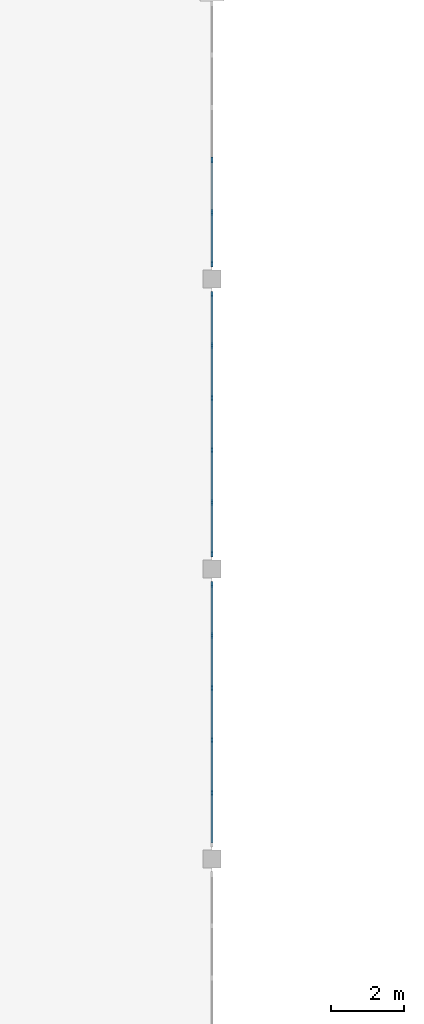
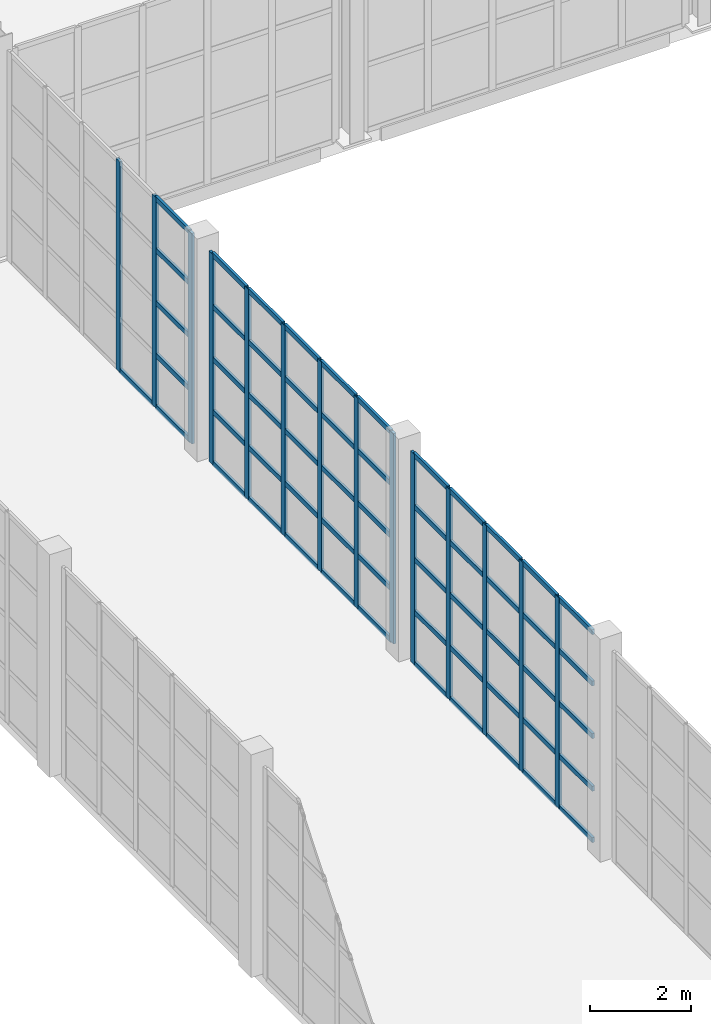
# One storey, part 40 of 82: 70 members, 3 elements without a shape of their own.
"""IFC4 building model written with IfcOpenShell, lengths in metres."""

from ifc_helpers import new_model, si_unit, direction, frame, origin, origin_2d, place, context, subcontext, project, spatial, rectangle, extrude, material, material_profile, profile_set, type_object, element, aggregate, save


model = new_model("IFC4")

# Units and contexts
model_context = context("Model", 3, precision=1e-05, world=origin(), true_north=direction((0.0, 1.0)))
body_context = subcontext(model_context, "Body", "Model", "MODEL_VIEW")
ifc_project = project(units=[si_unit("LENGTHUNIT", "METRE"), si_unit("AREAUNIT", "SQUARE_METRE"), si_unit("VOLUMEUNIT", "CUBIC_METRE"), si_unit("PLANEANGLEUNIT", "RADIAN"), si_unit("MASSUNIT", "GRAM", prefix="KILO")], contexts=[model_context])

# Site, building, storey
site_placement = place(None, origin())
site = spatial("IfcSite", under=ifc_project, at=site_placement, CompositionType="ELEMENT")
building_placement = place(site_placement, origin())
building = spatial("IfcBuilding", under=site, at=building_placement, Name="Serraluz Foothill Cableway Terminal", CompositionType="ELEMENT")
storey_placement = place(building_placement, frame((0.0, 0.0, 9.60009765625)))
storey = spatial("IfcBuildingStorey", under=building, at=storey_placement, Name="L02", CompositionType="ELEMENT", Elevation=9.60009765625)

# Curtain wall, members
ifc_material = material(Name="Architectural bronze alloy C28000", Category="aluminium")
curtain_wall_type = type_object("IfcCurtainWallType", Name="TYP-CW-710X420", PredefinedType="NOTDEFINED", material=ifc_material)
curtain_wall_1_placement = place(storey_placement, origin())
curtain_wall_1 = element("IfcCurtainWall", 1, at=curtain_wall_1_placement, inside=storey, type_object=curtain_wall_type, Name="Ribbed Glazed Curtain Wall CW-CLE-L02-32", PredefinedType="NOTDEFINED")
ifc_material_profile_1 = material_profile(ifc_material, rectangle(XDim=0.06005859375, YDim=0.159912109375, at=origin_2d()), Name="ALU MULLION 60x160")
ifc_profile_set_1 = profile_set([ifc_material_profile_1], Name="Architectural bronze alloy C28000")
member_type_1 = type_object("IfcMemberType", Name="TYP-CW-MUL-60X160", PredefinedType="MULLION", material=ifc_profile_set_1)
member_1_placement = place(storey_placement, frame((128.0, 39.580078125, 0.0), z_axis=(0.0, 0.0, 1.0), x_axis=(1.0, 0.0, 0.0)))
member_1 = element("IfcMember", 2, at=member_1_placement, type_object=member_type_1, Name="CW-01 mullion 1", PredefinedType="MULLION", context=body_context, shape_type="SweptSolid", body=[
    extrude(rectangle(XDim=0.06005859375, YDim=0.159912109375, at=origin_2d()), origin(), (0.0, 0.0, 1.0), 5.099853515625),
])
member_2_placement = place(storey_placement, frame((128.0, 38.166015625, 0.0), z_axis=(0.0, 0.0, 1.0), x_axis=(1.0, 0.0, 0.0)))
member_2 = element("IfcMember", 3, at=member_2_placement, type_object=member_type_1, Name="CW-01 mullion 2", PredefinedType="MULLION", context=body_context, shape_type="SweptSolid", body=[
    extrude(rectangle(XDim=0.06005859375, YDim=0.159912109375, at=origin_2d()), origin(), (0.0, 0.0, 1.0), 5.099853515625),
])
member_3_placement = place(storey_placement, frame((128.0, 36.721923828125, 0.0), z_axis=(0.0, 0.0, 1.0), x_axis=(1.0, 0.0, 0.0)))
member_3 = element("IfcMember", 4, at=member_3_placement, type_object=member_type_1, Name="CW-01 mullion 3", PredefinedType="MULLION", context=body_context, shape_type="SweptSolid", body=[
    extrude(rectangle(XDim=0.06005859375, YDim=0.159912109375, at=origin_2d()), origin(), (0.0, 0.0, 1.0), 5.099853515625),
])
member_4_placement = place(storey_placement, frame((128.0, 35.278076171875, 0.0), z_axis=(0.0, 0.0, 1.0), x_axis=(1.0, 0.0, 0.0)))
member_4 = element("IfcMember", 5, at=member_4_placement, type_object=member_type_1, Name="CW-01 mullion 4", PredefinedType="MULLION", context=body_context, shape_type="SweptSolid", body=[
    extrude(rectangle(XDim=0.06005859375, YDim=0.159912109375, at=origin_2d()), origin(), (0.0, 0.0, 1.0), 5.099853515625),
])
member_5_placement = place(storey_placement, frame((128.0, 33.833984375, 0.0), z_axis=(0.0, 0.0, 1.0), x_axis=(1.0, 0.0, 0.0)))
member_5 = element("IfcMember", 6, at=member_5_placement, type_object=member_type_1, Name="CW-01 mullion 5", PredefinedType="MULLION", context=body_context, shape_type="SweptSolid", body=[
    extrude(rectangle(XDim=0.06005859375, YDim=0.159912109375, at=origin_2d()), origin(), (0.0, 0.0, 1.0), 5.099853515625),
])

curtain_wall_2_placement = place(storey_placement, origin())
curtain_wall_2 = element("IfcCurtainWall", 7, at=curtain_wall_2_placement, inside=storey, type_object=curtain_wall_type, Name="Ribbed Glazed Curtain Wall CW-CLE-L02-40", PredefinedType="NOTDEFINED")
member_6_placement = place(storey_placement, frame((128.0, 47.580078125, 0.0), z_axis=(0.0, 0.0, 1.0), x_axis=(1.0, 0.0, 0.0)))
member_6 = element("IfcMember", 8, at=member_6_placement, type_object=member_type_1, Name="CW-01 mullion 1", PredefinedType="MULLION", context=body_context, shape_type="SweptSolid", body=[
    extrude(rectangle(XDim=0.06005859375, YDim=0.159912109375, at=origin_2d()), origin(), (0.0, 0.0, 1.0), 5.099853515625),
])
member_7_placement = place(storey_placement, frame((128.0, 46.166015625, 0.0), z_axis=(0.0, 0.0, 1.0), x_axis=(1.0, 0.0, 0.0)))
member_7 = element("IfcMember", 9, at=member_7_placement, type_object=member_type_1, Name="CW-01 mullion 2", PredefinedType="MULLION", context=body_context, shape_type="SweptSolid", body=[
    extrude(rectangle(XDim=0.06005859375, YDim=0.159912109375, at=origin_2d()), origin(), (0.0, 0.0, 1.0), 5.099853515625),
])
member_8_placement = place(storey_placement, frame((128.0, 44.721923828125, 0.0), z_axis=(0.0, 0.0, 1.0), x_axis=(1.0, 0.0, 0.0)))
member_8 = element("IfcMember", 10, at=member_8_placement, type_object=member_type_1, Name="CW-01 mullion 3", PredefinedType="MULLION", context=body_context, shape_type="SweptSolid", body=[
    extrude(rectangle(XDim=0.06005859375, YDim=0.159912109375, at=origin_2d()), origin(), (0.0, 0.0, 1.0), 5.099853515625),
])
member_9_placement = place(storey_placement, frame((128.0, 43.278076171875, 0.0), z_axis=(0.0, 0.0, 1.0), x_axis=(1.0, 0.0, 0.0)))
member_9 = element("IfcMember", 11, at=member_9_placement, type_object=member_type_1, Name="CW-01 mullion 4", PredefinedType="MULLION", context=body_context, shape_type="SweptSolid", body=[
    extrude(rectangle(XDim=0.06005859375, YDim=0.159912109375, at=origin_2d()), origin(), (0.0, 0.0, 1.0), 5.099853515625),
])
member_10_placement = place(storey_placement, frame((128.0, 41.833984375, 0.0), z_axis=(0.0, 0.0, 1.0), x_axis=(1.0, 0.0, 0.0)))
member_10 = element("IfcMember", 12, at=member_10_placement, type_object=member_type_1, Name="CW-01 mullion 5", PredefinedType="MULLION", context=body_context, shape_type="SweptSolid", body=[
    extrude(rectangle(XDim=0.06005859375, YDim=0.159912109375, at=origin_2d()), origin(), (0.0, 0.0, 1.0), 5.099853515625),
])
member_11_placement = place(storey_placement, frame((128.0, 40.419921875, 0.0), z_axis=(0.0, 0.0, 1.0), x_axis=(1.0, 0.0, 0.0)))
member_11 = element("IfcMember", 13, at=member_11_placement, type_object=member_type_1, Name="CW-01 mullion 6", PredefinedType="MULLION", context=body_context, shape_type="SweptSolid", body=[
    extrude(rectangle(XDim=0.06005859375, YDim=0.159912109375, at=origin_2d()), origin(), (0.0, 0.0, 1.0), 5.099853515625),
])

curtain_wall_3_placement = place(storey_placement, origin())
curtain_wall_3 = element("IfcCurtainWall", 14, at=curtain_wall_3_placement, inside=storey, type_object=curtain_wall_type, Name="Ribbed Glazed Curtain Wall CW-CLE-L02-48", PredefinedType="NOTDEFINED")
member_12_placement = place(storey_placement, frame((128.0, 51.28369140625, 0.0), z_axis=(0.0, 0.0, 1.0), x_axis=(1.0, 0.0, 0.0)))
member_12 = element("IfcMember", 15, at=member_12_placement, type_object=member_type_1, Name="CW-01 mullion 4", PredefinedType="MULLION", context=body_context, shape_type="SweptSolid", body=[
    extrude(rectangle(XDim=0.06005859375, YDim=0.159912109375, at=origin_2d()), origin(), (0.0, 0.0, 1.0), 5.099853515625),
])
member_13_placement = place(storey_placement, frame((128.0, 49.8369140625, 0.0), z_axis=(0.0, 0.0, 1.0), x_axis=(1.0, 0.0, 0.0)))
member_13 = element("IfcMember", 16, at=member_13_placement, type_object=member_type_1, Name="CW-01 mullion 5", PredefinedType="MULLION", context=body_context, shape_type="SweptSolid", body=[
    extrude(rectangle(XDim=0.06005859375, YDim=0.159912109375, at=origin_2d()), origin(), (0.0, 0.0, 1.0), 5.099853515625),
])
member_14_placement = place(storey_placement, frame((128.0, 48.419921875, 0.0), z_axis=(0.0, 0.0, 1.0), x_axis=(1.0, 0.0, 0.0)))
member_14 = element("IfcMember", 17, at=member_14_placement, type_object=member_type_1, Name="CW-01 mullion 6", PredefinedType="MULLION", context=body_context, shape_type="SweptSolid", body=[
    extrude(rectangle(XDim=0.06005859375, YDim=0.159912109375, at=origin_2d()), origin(), (0.0, 0.0, 1.0), 5.099853515625),
])

# Member
ifc_material_profile_2 = material_profile(ifc_material, rectangle(XDim=0.06005859375, YDim=0.1201171875, at=origin_2d()), Name="ALU TRANSOM 60x120")
ifc_profile_set_2 = profile_set([ifc_material_profile_2], Name="Architectural bronze alloy C28000")
member_type_2 = type_object("IfcMemberType", Name="TYP-CW-TRN-60X120", PredefinedType="USERDEFINED", material=ifc_profile_set_2)
member_15_placement = place(storey_placement, frame((128.0, 39.550048828125, 0.02978515625), z_axis=(0.0, -1.0, 0.0), x_axis=(1.0, 0.0, 0.0)))
member_15 = element("IfcMember", 18, at=member_15_placement, type_object=member_type_2, Name="CW-01 transom 1.1", ObjectType="TRANSOM", PredefinedType="USERDEFINED", context=body_context, shape_type="SweptSolid", body=[
    extrude(rectangle(XDim=0.06005859375, YDim=0.1201171875, at=origin_2d()), origin(), (0.0, 0.0, 1.0), 1.35400390625),
])

member_16_placement = place(storey_placement, frame((128.0, 39.550048828125, 1.27490234375), z_axis=(0.0, -1.0, 0.0), x_axis=(1.0, 0.0, 0.0)))
member_16 = element("IfcMember", 19, at=member_16_placement, type_object=member_type_2, Name="CW-01 transom 1.2", ObjectType="TRANSOM", PredefinedType="USERDEFINED", context=body_context, shape_type="SweptSolid", body=[
    extrude(rectangle(XDim=0.06005859375, YDim=0.1201171875, at=origin_2d()), origin(), (0.0, 0.0, 1.0), 1.35400390625),
])

member_17_placement = place(storey_placement, frame((128.0, 39.550048828125, 2.5498046875), z_axis=(0.0, -1.0, 0.0), x_axis=(1.0, 0.0, 0.0)))
member_17 = element("IfcMember", 20, at=member_17_placement, type_object=member_type_2, Name="CW-01 transom 1.3", ObjectType="TRANSOM", PredefinedType="USERDEFINED", context=body_context, shape_type="SweptSolid", body=[
    extrude(rectangle(XDim=0.06005859375, YDim=0.1201171875, at=origin_2d()), origin(), (0.0, 0.0, 1.0), 1.35400390625),
])

member_18_placement = place(storey_placement, frame((128.0, 39.550048828125, 3.824951171875), z_axis=(0.0, -1.0, 0.0), x_axis=(1.0, 0.0, 0.0)))
member_18 = element("IfcMember", 21, at=member_18_placement, type_object=member_type_2, Name="CW-01 transom 1.4", ObjectType="TRANSOM", PredefinedType="USERDEFINED", context=body_context, shape_type="SweptSolid", body=[
    extrude(rectangle(XDim=0.06005859375, YDim=0.1201171875, at=origin_2d()), origin(), (0.0, 0.0, 1.0), 1.35400390625),
])

member_19_placement = place(storey_placement, frame((128.0, 39.550048828125, 5.06982421875), z_axis=(0.0, -1.0, 0.0), x_axis=(1.0, 0.0, 0.0)))
member_19 = element("IfcMember", 22, at=member_19_placement, type_object=member_type_2, Name="CW-01 transom 1.5", ObjectType="TRANSOM", PredefinedType="USERDEFINED", context=body_context, shape_type="SweptSolid", body=[
    extrude(rectangle(XDim=0.06005859375, YDim=0.1201171875, at=origin_2d()), origin(), (0.0, 0.0, 1.0), 1.35400390625),
])

member_20_placement = place(storey_placement, frame((128.0, 38.135986328125, 0.02978515625), z_axis=(0.0, -1.0, 0.0), x_axis=(1.0, 0.0, 0.0)))
member_20 = element("IfcMember", 23, at=member_20_placement, type_object=member_type_2, Name="CW-01 transom 2.1", ObjectType="TRANSOM", PredefinedType="USERDEFINED", context=body_context, shape_type="SweptSolid", body=[
    extrude(rectangle(XDim=0.06005859375, YDim=0.1201171875, at=origin_2d()), origin(), (0.0, 0.0, 1.0), 1.384033203125),
])

member_21_placement = place(storey_placement, frame((128.0, 38.135986328125, 1.27490234375), z_axis=(0.0, -1.0, 0.0), x_axis=(1.0, 0.0, 0.0)))
member_21 = element("IfcMember", 24, at=member_21_placement, type_object=member_type_2, Name="CW-01 transom 2.2", ObjectType="TRANSOM", PredefinedType="USERDEFINED", context=body_context, shape_type="SweptSolid", body=[
    extrude(rectangle(XDim=0.06005859375, YDim=0.1201171875, at=origin_2d()), origin(), (0.0, 0.0, 1.0), 1.384033203125),
])

member_22_placement = place(storey_placement, frame((128.0, 38.135986328125, 2.5498046875), z_axis=(0.0, -1.0, 0.0), x_axis=(1.0, 0.0, 0.0)))
member_22 = element("IfcMember", 25, at=member_22_placement, type_object=member_type_2, Name="CW-01 transom 2.3", ObjectType="TRANSOM", PredefinedType="USERDEFINED", context=body_context, shape_type="SweptSolid", body=[
    extrude(rectangle(XDim=0.06005859375, YDim=0.1201171875, at=origin_2d()), origin(), (0.0, 0.0, 1.0), 1.384033203125),
])

member_23_placement = place(storey_placement, frame((128.0, 38.135986328125, 3.824951171875), z_axis=(0.0, -1.0, 0.0), x_axis=(1.0, 0.0, 0.0)))
member_23 = element("IfcMember", 26, at=member_23_placement, type_object=member_type_2, Name="CW-01 transom 2.4", ObjectType="TRANSOM", PredefinedType="USERDEFINED", context=body_context, shape_type="SweptSolid", body=[
    extrude(rectangle(XDim=0.06005859375, YDim=0.1201171875, at=origin_2d()), origin(), (0.0, 0.0, 1.0), 1.384033203125),
])

member_24_placement = place(storey_placement, frame((128.0, 38.135986328125, 5.06982421875), z_axis=(0.0, -1.0, 0.0), x_axis=(1.0, 0.0, 0.0)))
member_24 = element("IfcMember", 27, at=member_24_placement, type_object=member_type_2, Name="CW-01 transom 2.5", ObjectType="TRANSOM", PredefinedType="USERDEFINED", context=body_context, shape_type="SweptSolid", body=[
    extrude(rectangle(XDim=0.06005859375, YDim=0.1201171875, at=origin_2d()), origin(), (0.0, 0.0, 1.0), 1.384033203125),
])

member_25_placement = place(storey_placement, frame((128.0, 36.69189453125, 0.02978515625), z_axis=(0.0, -1.0, 0.0), x_axis=(1.0, 0.0, 0.0)))
member_25 = element("IfcMember", 28, at=member_25_placement, type_object=member_type_2, Name="CW-01 transom 3.1", ObjectType="TRANSOM", PredefinedType="USERDEFINED", context=body_context, shape_type="SweptSolid", body=[
    extrude(rectangle(XDim=0.06005859375, YDim=0.1201171875, at=origin_2d()), origin(), (0.0, 0.0, 1.0), 1.3837890625),
])

member_26_placement = place(storey_placement, frame((128.0, 36.69189453125, 1.27490234375), z_axis=(0.0, -1.0, 0.0), x_axis=(1.0, 0.0, 0.0)))
member_26 = element("IfcMember", 29, at=member_26_placement, type_object=member_type_2, Name="CW-01 transom 3.2", ObjectType="TRANSOM", PredefinedType="USERDEFINED", context=body_context, shape_type="SweptSolid", body=[
    extrude(rectangle(XDim=0.06005859375, YDim=0.1201171875, at=origin_2d()), origin(), (0.0, 0.0, 1.0), 1.3837890625),
])

member_27_placement = place(storey_placement, frame((128.0, 36.69189453125, 2.5498046875), z_axis=(0.0, -1.0, 0.0), x_axis=(1.0, 0.0, 0.0)))
member_27 = element("IfcMember", 30, at=member_27_placement, type_object=member_type_2, Name="CW-01 transom 3.3", ObjectType="TRANSOM", PredefinedType="USERDEFINED", context=body_context, shape_type="SweptSolid", body=[
    extrude(rectangle(XDim=0.06005859375, YDim=0.1201171875, at=origin_2d()), origin(), (0.0, 0.0, 1.0), 1.3837890625),
])

member_28_placement = place(storey_placement, frame((128.0, 36.69189453125, 3.824951171875), z_axis=(0.0, -1.0, 0.0), x_axis=(1.0, 0.0, 0.0)))
member_28 = element("IfcMember", 31, at=member_28_placement, type_object=member_type_2, Name="CW-01 transom 3.4", ObjectType="TRANSOM", PredefinedType="USERDEFINED", context=body_context, shape_type="SweptSolid", body=[
    extrude(rectangle(XDim=0.06005859375, YDim=0.1201171875, at=origin_2d()), origin(), (0.0, 0.0, 1.0), 1.3837890625),
])

member_29_placement = place(storey_placement, frame((128.0, 36.69189453125, 5.06982421875), z_axis=(0.0, -1.0, 0.0), x_axis=(1.0, 0.0, 0.0)))
member_29 = element("IfcMember", 32, at=member_29_placement, type_object=member_type_2, Name="CW-01 transom 3.5", ObjectType="TRANSOM", PredefinedType="USERDEFINED", context=body_context, shape_type="SweptSolid", body=[
    extrude(rectangle(XDim=0.06005859375, YDim=0.1201171875, at=origin_2d()), origin(), (0.0, 0.0, 1.0), 1.3837890625),
])

member_30_placement = place(storey_placement, frame((128.0, 35.248046875, 0.02978515625), z_axis=(0.0, -1.0, 0.0), x_axis=(1.0, 0.0, 0.0)))
member_30 = element("IfcMember", 33, at=member_30_placement, type_object=member_type_2, Name="CW-01 transom 4.1", ObjectType="TRANSOM", PredefinedType="USERDEFINED", context=body_context, shape_type="SweptSolid", body=[
    extrude(rectangle(XDim=0.06005859375, YDim=0.1201171875, at=origin_2d()), origin(), (0.0, 0.0, 1.0), 1.384033203125),
])

member_31_placement = place(storey_placement, frame((128.0, 35.248046875, 1.27490234375), z_axis=(0.0, -1.0, 0.0), x_axis=(1.0, 0.0, 0.0)))
member_31 = element("IfcMember", 34, at=member_31_placement, type_object=member_type_2, Name="CW-01 transom 4.2", ObjectType="TRANSOM", PredefinedType="USERDEFINED", context=body_context, shape_type="SweptSolid", body=[
    extrude(rectangle(XDim=0.06005859375, YDim=0.1201171875, at=origin_2d()), origin(), (0.0, 0.0, 1.0), 1.384033203125),
])

member_32_placement = place(storey_placement, frame((128.0, 35.248046875, 2.5498046875), z_axis=(0.0, -1.0, 0.0), x_axis=(1.0, 0.0, 0.0)))
member_32 = element("IfcMember", 35, at=member_32_placement, type_object=member_type_2, Name="CW-01 transom 4.3", ObjectType="TRANSOM", PredefinedType="USERDEFINED", context=body_context, shape_type="SweptSolid", body=[
    extrude(rectangle(XDim=0.06005859375, YDim=0.1201171875, at=origin_2d()), origin(), (0.0, 0.0, 1.0), 1.384033203125),
])

member_33_placement = place(storey_placement, frame((128.0, 35.248046875, 3.824951171875), z_axis=(0.0, -1.0, 0.0), x_axis=(1.0, 0.0, 0.0)))
member_33 = element("IfcMember", 36, at=member_33_placement, type_object=member_type_2, Name="CW-01 transom 4.4", ObjectType="TRANSOM", PredefinedType="USERDEFINED", context=body_context, shape_type="SweptSolid", body=[
    extrude(rectangle(XDim=0.06005859375, YDim=0.1201171875, at=origin_2d()), origin(), (0.0, 0.0, 1.0), 1.384033203125),
])

member_34_placement = place(storey_placement, frame((128.0, 35.248046875, 5.06982421875), z_axis=(0.0, -1.0, 0.0), x_axis=(1.0, 0.0, 0.0)))
member_34 = element("IfcMember", 37, at=member_34_placement, type_object=member_type_2, Name="CW-01 transom 4.5", ObjectType="TRANSOM", PredefinedType="USERDEFINED", context=body_context, shape_type="SweptSolid", body=[
    extrude(rectangle(XDim=0.06005859375, YDim=0.1201171875, at=origin_2d()), origin(), (0.0, 0.0, 1.0), 1.384033203125),
])

member_35_placement = place(storey_placement, frame((128.0, 33.803955078125, 0.02978515625), z_axis=(0.0, -1.0, 0.0), x_axis=(1.0, 0.0, 0.0)))
member_35 = element("IfcMember", 38, at=member_35_placement, type_object=member_type_2, Name="CW-01 transom 5.1", ObjectType="TRANSOM", PredefinedType="USERDEFINED", context=body_context, shape_type="SweptSolid", body=[
    extrude(rectangle(XDim=0.06005859375, YDim=0.1201171875, at=origin_2d()), origin(), (0.0, 0.0, 1.0), 1.35400390625),
])

member_36_placement = place(storey_placement, frame((128.0, 33.803955078125, 1.27490234375), z_axis=(0.0, -1.0, 0.0), x_axis=(1.0, 0.0, 0.0)))
member_36 = element("IfcMember", 39, at=member_36_placement, type_object=member_type_2, Name="CW-01 transom 5.2", ObjectType="TRANSOM", PredefinedType="USERDEFINED", context=body_context, shape_type="SweptSolid", body=[
    extrude(rectangle(XDim=0.06005859375, YDim=0.1201171875, at=origin_2d()), origin(), (0.0, 0.0, 1.0), 1.35400390625),
])

member_37_placement = place(storey_placement, frame((128.0, 33.803955078125, 2.5498046875), z_axis=(0.0, -1.0, 0.0), x_axis=(1.0, 0.0, 0.0)))
member_37 = element("IfcMember", 40, at=member_37_placement, type_object=member_type_2, Name="CW-01 transom 5.3", ObjectType="TRANSOM", PredefinedType="USERDEFINED", context=body_context, shape_type="SweptSolid", body=[
    extrude(rectangle(XDim=0.06005859375, YDim=0.1201171875, at=origin_2d()), origin(), (0.0, 0.0, 1.0), 1.35400390625),
])

member_38_placement = place(storey_placement, frame((128.0, 33.803955078125, 3.824951171875), z_axis=(0.0, -1.0, 0.0), x_axis=(1.0, 0.0, 0.0)))
member_38 = element("IfcMember", 41, at=member_38_placement, type_object=member_type_2, Name="CW-01 transom 5.4", ObjectType="TRANSOM", PredefinedType="USERDEFINED", context=body_context, shape_type="SweptSolid", body=[
    extrude(rectangle(XDim=0.06005859375, YDim=0.1201171875, at=origin_2d()), origin(), (0.0, 0.0, 1.0), 1.35400390625),
])

member_39_placement = place(storey_placement, frame((128.0, 33.803955078125, 5.06982421875), z_axis=(0.0, -1.0, 0.0), x_axis=(1.0, 0.0, 0.0)))
member_39 = element("IfcMember", 42, at=member_39_placement, type_object=member_type_2, Name="CW-01 transom 5.5", ObjectType="TRANSOM", PredefinedType="USERDEFINED", context=body_context, shape_type="SweptSolid", body=[
    extrude(rectangle(XDim=0.06005859375, YDim=0.1201171875, at=origin_2d()), origin(), (0.0, 0.0, 1.0), 1.35400390625),
])

aggregate(curtain_wall_1, [member_1, member_2, member_3, member_4, member_5, member_15, member_16, member_17, member_18, member_19, member_20, member_21, member_22, member_23, member_24, member_25, member_26, member_27, member_28, member_29, member_30, member_31, member_32, member_33, member_34, member_35, member_36, member_37, member_38, member_39])

member_40_placement = place(storey_placement, frame((128.0, 47.550048828125, 0.02978515625), z_axis=(0.0, -1.0, 0.0), x_axis=(1.0, 0.0, 0.0)))
member_40 = element("IfcMember", 43, at=member_40_placement, type_object=member_type_2, Name="CW-01 transom 1.1", ObjectType="TRANSOM", PredefinedType="USERDEFINED", context=body_context, shape_type="SweptSolid", body=[
    extrude(rectangle(XDim=0.06005859375, YDim=0.1201171875, at=origin_2d()), origin(), (0.0, 0.0, 1.0), 1.35400390625),
])

member_41_placement = place(storey_placement, frame((128.0, 47.550048828125, 1.27490234375), z_axis=(0.0, -1.0, 0.0), x_axis=(1.0, 0.0, 0.0)))
member_41 = element("IfcMember", 44, at=member_41_placement, type_object=member_type_2, Name="CW-01 transom 1.2", ObjectType="TRANSOM", PredefinedType="USERDEFINED", context=body_context, shape_type="SweptSolid", body=[
    extrude(rectangle(XDim=0.06005859375, YDim=0.1201171875, at=origin_2d()), origin(), (0.0, 0.0, 1.0), 1.35400390625),
])

member_42_placement = place(storey_placement, frame((128.0, 47.550048828125, 2.5498046875), z_axis=(0.0, -1.0, 0.0), x_axis=(1.0, 0.0, 0.0)))
member_42 = element("IfcMember", 45, at=member_42_placement, type_object=member_type_2, Name="CW-01 transom 1.3", ObjectType="TRANSOM", PredefinedType="USERDEFINED", context=body_context, shape_type="SweptSolid", body=[
    extrude(rectangle(XDim=0.06005859375, YDim=0.1201171875, at=origin_2d()), origin(), (0.0, 0.0, 1.0), 1.35400390625),
])

member_43_placement = place(storey_placement, frame((128.0, 47.550048828125, 3.824951171875), z_axis=(0.0, -1.0, 0.0), x_axis=(1.0, 0.0, 0.0)))
member_43 = element("IfcMember", 46, at=member_43_placement, type_object=member_type_2, Name="CW-01 transom 1.4", ObjectType="TRANSOM", PredefinedType="USERDEFINED", context=body_context, shape_type="SweptSolid", body=[
    extrude(rectangle(XDim=0.06005859375, YDim=0.1201171875, at=origin_2d()), origin(), (0.0, 0.0, 1.0), 1.35400390625),
])

member_44_placement = place(storey_placement, frame((128.0, 47.550048828125, 5.06982421875), z_axis=(0.0, -1.0, 0.0), x_axis=(1.0, 0.0, 0.0)))
member_44 = element("IfcMember", 47, at=member_44_placement, type_object=member_type_2, Name="CW-01 transom 1.5", ObjectType="TRANSOM", PredefinedType="USERDEFINED", context=body_context, shape_type="SweptSolid", body=[
    extrude(rectangle(XDim=0.06005859375, YDim=0.1201171875, at=origin_2d()), origin(), (0.0, 0.0, 1.0), 1.35400390625),
])

member_45_placement = place(storey_placement, frame((128.0, 46.135986328125, 0.02978515625), z_axis=(0.0, -1.0, 0.0), x_axis=(1.0, 0.0, 0.0)))
member_45 = element("IfcMember", 48, at=member_45_placement, type_object=member_type_2, Name="CW-01 transom 2.1", ObjectType="TRANSOM", PredefinedType="USERDEFINED", context=body_context, shape_type="SweptSolid", body=[
    extrude(rectangle(XDim=0.06005859375, YDim=0.1201171875, at=origin_2d()), origin(), (0.0, 0.0, 1.0), 1.384033203125),
])

member_46_placement = place(storey_placement, frame((128.0, 46.135986328125, 1.27490234375), z_axis=(0.0, -1.0, 0.0), x_axis=(1.0, 0.0, 0.0)))
member_46 = element("IfcMember", 49, at=member_46_placement, type_object=member_type_2, Name="CW-01 transom 2.2", ObjectType="TRANSOM", PredefinedType="USERDEFINED", context=body_context, shape_type="SweptSolid", body=[
    extrude(rectangle(XDim=0.06005859375, YDim=0.1201171875, at=origin_2d()), origin(), (0.0, 0.0, 1.0), 1.384033203125),
])

member_47_placement = place(storey_placement, frame((128.0, 46.135986328125, 2.5498046875), z_axis=(0.0, -1.0, 0.0), x_axis=(1.0, 0.0, 0.0)))
member_47 = element("IfcMember", 50, at=member_47_placement, type_object=member_type_2, Name="CW-01 transom 2.3", ObjectType="TRANSOM", PredefinedType="USERDEFINED", context=body_context, shape_type="SweptSolid", body=[
    extrude(rectangle(XDim=0.06005859375, YDim=0.1201171875, at=origin_2d()), origin(), (0.0, 0.0, 1.0), 1.384033203125),
])

member_48_placement = place(storey_placement, frame((128.0, 46.135986328125, 3.824951171875), z_axis=(0.0, -1.0, 0.0), x_axis=(1.0, 0.0, 0.0)))
member_48 = element("IfcMember", 51, at=member_48_placement, type_object=member_type_2, Name="CW-01 transom 2.4", ObjectType="TRANSOM", PredefinedType="USERDEFINED", context=body_context, shape_type="SweptSolid", body=[
    extrude(rectangle(XDim=0.06005859375, YDim=0.1201171875, at=origin_2d()), origin(), (0.0, 0.0, 1.0), 1.384033203125),
])

member_49_placement = place(storey_placement, frame((128.0, 46.135986328125, 5.06982421875), z_axis=(0.0, -1.0, 0.0), x_axis=(1.0, 0.0, 0.0)))
member_49 = element("IfcMember", 52, at=member_49_placement, type_object=member_type_2, Name="CW-01 transom 2.5", ObjectType="TRANSOM", PredefinedType="USERDEFINED", context=body_context, shape_type="SweptSolid", body=[
    extrude(rectangle(XDim=0.06005859375, YDim=0.1201171875, at=origin_2d()), origin(), (0.0, 0.0, 1.0), 1.384033203125),
])

member_50_placement = place(storey_placement, frame((128.0, 44.69189453125, 0.02978515625), z_axis=(0.0, -1.0, 0.0), x_axis=(1.0, 0.0, 0.0)))
member_50 = element("IfcMember", 53, at=member_50_placement, type_object=member_type_2, Name="CW-01 transom 3.1", ObjectType="TRANSOM", PredefinedType="USERDEFINED", context=body_context, shape_type="SweptSolid", body=[
    extrude(rectangle(XDim=0.06005859375, YDim=0.1201171875, at=origin_2d()), origin(), (0.0, 0.0, 1.0), 1.3837890625),
])

member_51_placement = place(storey_placement, frame((128.0, 44.69189453125, 1.27490234375), z_axis=(0.0, -1.0, 0.0), x_axis=(1.0, 0.0, 0.0)))
member_51 = element("IfcMember", 54, at=member_51_placement, type_object=member_type_2, Name="CW-01 transom 3.2", ObjectType="TRANSOM", PredefinedType="USERDEFINED", context=body_context, shape_type="SweptSolid", body=[
    extrude(rectangle(XDim=0.06005859375, YDim=0.1201171875, at=origin_2d()), origin(), (0.0, 0.0, 1.0), 1.3837890625),
])

member_52_placement = place(storey_placement, frame((128.0, 44.69189453125, 2.5498046875), z_axis=(0.0, -1.0, 0.0), x_axis=(1.0, 0.0, 0.0)))
member_52 = element("IfcMember", 55, at=member_52_placement, type_object=member_type_2, Name="CW-01 transom 3.3", ObjectType="TRANSOM", PredefinedType="USERDEFINED", context=body_context, shape_type="SweptSolid", body=[
    extrude(rectangle(XDim=0.06005859375, YDim=0.1201171875, at=origin_2d()), origin(), (0.0, 0.0, 1.0), 1.3837890625),
])

member_53_placement = place(storey_placement, frame((128.0, 44.69189453125, 3.824951171875), z_axis=(0.0, -1.0, 0.0), x_axis=(1.0, 0.0, 0.0)))
member_53 = element("IfcMember", 56, at=member_53_placement, type_object=member_type_2, Name="CW-01 transom 3.4", ObjectType="TRANSOM", PredefinedType="USERDEFINED", context=body_context, shape_type="SweptSolid", body=[
    extrude(rectangle(XDim=0.06005859375, YDim=0.1201171875, at=origin_2d()), origin(), (0.0, 0.0, 1.0), 1.3837890625),
])

member_54_placement = place(storey_placement, frame((128.0, 44.69189453125, 5.06982421875), z_axis=(0.0, -1.0, 0.0), x_axis=(1.0, 0.0, 0.0)))
member_54 = element("IfcMember", 57, at=member_54_placement, type_object=member_type_2, Name="CW-01 transom 3.5", ObjectType="TRANSOM", PredefinedType="USERDEFINED", context=body_context, shape_type="SweptSolid", body=[
    extrude(rectangle(XDim=0.06005859375, YDim=0.1201171875, at=origin_2d()), origin(), (0.0, 0.0, 1.0), 1.3837890625),
])

member_55_placement = place(storey_placement, frame((128.0, 43.248046875, 0.02978515625), z_axis=(0.0, -1.0, 0.0), x_axis=(1.0, 0.0, 0.0)))
member_55 = element("IfcMember", 58, at=member_55_placement, type_object=member_type_2, Name="CW-01 transom 4.1", ObjectType="TRANSOM", PredefinedType="USERDEFINED", context=body_context, shape_type="SweptSolid", body=[
    extrude(rectangle(XDim=0.06005859375, YDim=0.1201171875, at=origin_2d()), origin(), (0.0, 0.0, 1.0), 1.384033203125),
])

member_56_placement = place(storey_placement, frame((128.0, 43.248046875, 1.27490234375), z_axis=(0.0, -1.0, 0.0), x_axis=(1.0, 0.0, 0.0)))
member_56 = element("IfcMember", 59, at=member_56_placement, type_object=member_type_2, Name="CW-01 transom 4.2", ObjectType="TRANSOM", PredefinedType="USERDEFINED", context=body_context, shape_type="SweptSolid", body=[
    extrude(rectangle(XDim=0.06005859375, YDim=0.1201171875, at=origin_2d()), origin(), (0.0, 0.0, 1.0), 1.384033203125),
])

member_57_placement = place(storey_placement, frame((128.0, 43.248046875, 2.5498046875), z_axis=(0.0, -1.0, 0.0), x_axis=(1.0, 0.0, 0.0)))
member_57 = element("IfcMember", 60, at=member_57_placement, type_object=member_type_2, Name="CW-01 transom 4.3", ObjectType="TRANSOM", PredefinedType="USERDEFINED", context=body_context, shape_type="SweptSolid", body=[
    extrude(rectangle(XDim=0.06005859375, YDim=0.1201171875, at=origin_2d()), origin(), (0.0, 0.0, 1.0), 1.384033203125),
])

member_58_placement = place(storey_placement, frame((128.0, 43.248046875, 3.824951171875), z_axis=(0.0, -1.0, 0.0), x_axis=(1.0, 0.0, 0.0)))
member_58 = element("IfcMember", 61, at=member_58_placement, type_object=member_type_2, Name="CW-01 transom 4.4", ObjectType="TRANSOM", PredefinedType="USERDEFINED", context=body_context, shape_type="SweptSolid", body=[
    extrude(rectangle(XDim=0.06005859375, YDim=0.1201171875, at=origin_2d()), origin(), (0.0, 0.0, 1.0), 1.384033203125),
])

member_59_placement = place(storey_placement, frame((128.0, 43.248046875, 5.06982421875), z_axis=(0.0, -1.0, 0.0), x_axis=(1.0, 0.0, 0.0)))
member_59 = element("IfcMember", 62, at=member_59_placement, type_object=member_type_2, Name="CW-01 transom 4.5", ObjectType="TRANSOM", PredefinedType="USERDEFINED", context=body_context, shape_type="SweptSolid", body=[
    extrude(rectangle(XDim=0.06005859375, YDim=0.1201171875, at=origin_2d()), origin(), (0.0, 0.0, 1.0), 1.384033203125),
])

member_60_placement = place(storey_placement, frame((128.0, 41.803955078125, 0.02978515625), z_axis=(0.0, -1.0, 0.0), x_axis=(1.0, 0.0, 0.0)))
member_60 = element("IfcMember", 63, at=member_60_placement, type_object=member_type_2, Name="CW-01 transom 5.1", ObjectType="TRANSOM", PredefinedType="USERDEFINED", context=body_context, shape_type="SweptSolid", body=[
    extrude(rectangle(XDim=0.06005859375, YDim=0.1201171875, at=origin_2d()), origin(), (0.0, 0.0, 1.0), 1.35400390625),
])

member_61_placement = place(storey_placement, frame((128.0, 41.803955078125, 1.27490234375), z_axis=(0.0, -1.0, 0.0), x_axis=(1.0, 0.0, 0.0)))
member_61 = element("IfcMember", 64, at=member_61_placement, type_object=member_type_2, Name="CW-01 transom 5.2", ObjectType="TRANSOM", PredefinedType="USERDEFINED", context=body_context, shape_type="SweptSolid", body=[
    extrude(rectangle(XDim=0.06005859375, YDim=0.1201171875, at=origin_2d()), origin(), (0.0, 0.0, 1.0), 1.35400390625),
])

member_62_placement = place(storey_placement, frame((128.0, 41.803955078125, 2.5498046875), z_axis=(0.0, -1.0, 0.0), x_axis=(1.0, 0.0, 0.0)))
member_62 = element("IfcMember", 65, at=member_62_placement, type_object=member_type_2, Name="CW-01 transom 5.3", ObjectType="TRANSOM", PredefinedType="USERDEFINED", context=body_context, shape_type="SweptSolid", body=[
    extrude(rectangle(XDim=0.06005859375, YDim=0.1201171875, at=origin_2d()), origin(), (0.0, 0.0, 1.0), 1.35400390625),
])

member_63_placement = place(storey_placement, frame((128.0, 41.803955078125, 3.824951171875), z_axis=(0.0, -1.0, 0.0), x_axis=(1.0, 0.0, 0.0)))
member_63 = element("IfcMember", 66, at=member_63_placement, type_object=member_type_2, Name="CW-01 transom 5.4", ObjectType="TRANSOM", PredefinedType="USERDEFINED", context=body_context, shape_type="SweptSolid", body=[
    extrude(rectangle(XDim=0.06005859375, YDim=0.1201171875, at=origin_2d()), origin(), (0.0, 0.0, 1.0), 1.35400390625),
])

member_64_placement = place(storey_placement, frame((128.0, 41.803955078125, 5.06982421875), z_axis=(0.0, -1.0, 0.0), x_axis=(1.0, 0.0, 0.0)))
member_64 = element("IfcMember", 67, at=member_64_placement, type_object=member_type_2, Name="CW-01 transom 5.5", ObjectType="TRANSOM", PredefinedType="USERDEFINED", context=body_context, shape_type="SweptSolid", body=[
    extrude(rectangle(XDim=0.06005859375, YDim=0.1201171875, at=origin_2d()), origin(), (0.0, 0.0, 1.0), 1.35400390625),
])

aggregate(curtain_wall_2, [member_6, member_7, member_8, member_9, member_10, member_11, member_40, member_41, member_42, member_43, member_44, member_45, member_46, member_47, member_48, member_49, member_50, member_51, member_52, member_53, member_54, member_55, member_56, member_57, member_58, member_59, member_60, member_61, member_62, member_63, member_64])

member_65_placement = place(storey_placement, frame((128.0, 51.253662109375, 0.02978515625), z_axis=(0.0, -1.0, 0.0), x_axis=(1.0, 0.0, 0.0)))
member_65 = element("IfcMember", 68, at=member_65_placement, type_object=member_type_2, Name="CW-01 transom 4.1", ObjectType="TRANSOM", PredefinedType="USERDEFINED", context=body_context, shape_type="SweptSolid", body=[
    extrude(rectangle(XDim=0.06005859375, YDim=0.1201171875, at=origin_2d()), origin(), (0.0, 0.0, 1.0), 1.386962890625),
])

member_66_placement = place(storey_placement, frame((128.0, 49.806884765625, 0.02978515625), z_axis=(0.0, -1.0, 0.0), x_axis=(1.0, 0.0, 0.0)))
member_66 = element("IfcMember", 69, at=member_66_placement, type_object=member_type_2, Name="CW-01 transom 5.1", ObjectType="TRANSOM", PredefinedType="USERDEFINED", context=body_context, shape_type="SweptSolid", body=[
    extrude(rectangle(XDim=0.06005859375, YDim=0.1201171875, at=origin_2d()), origin(), (0.0, 0.0, 1.0), 1.35693359375),
])

member_67_placement = place(storey_placement, frame((128.0, 49.806884765625, 1.27490234375), z_axis=(0.0, -1.0, 0.0), x_axis=(1.0, 0.0, 0.0)))
member_67 = element("IfcMember", 70, at=member_67_placement, type_object=member_type_2, Name="CW-01 transom 5.2", ObjectType="TRANSOM", PredefinedType="USERDEFINED", context=body_context, shape_type="SweptSolid", body=[
    extrude(rectangle(XDim=0.06005859375, YDim=0.1201171875, at=origin_2d()), origin(), (0.0, 0.0, 1.0), 1.35693359375),
])

member_68_placement = place(storey_placement, frame((128.0, 49.806884765625, 2.5498046875), z_axis=(0.0, -1.0, 0.0), x_axis=(1.0, 0.0, 0.0)))
member_68 = element("IfcMember", 71, at=member_68_placement, type_object=member_type_2, Name="CW-01 transom 5.3", ObjectType="TRANSOM", PredefinedType="USERDEFINED", context=body_context, shape_type="SweptSolid", body=[
    extrude(rectangle(XDim=0.06005859375, YDim=0.1201171875, at=origin_2d()), origin(), (0.0, 0.0, 1.0), 1.35693359375),
])

member_69_placement = place(storey_placement, frame((128.0, 49.806884765625, 3.824951171875), z_axis=(0.0, -1.0, 0.0), x_axis=(1.0, 0.0, 0.0)))
member_69 = element("IfcMember", 72, at=member_69_placement, type_object=member_type_2, Name="CW-01 transom 5.4", ObjectType="TRANSOM", PredefinedType="USERDEFINED", context=body_context, shape_type="SweptSolid", body=[
    extrude(rectangle(XDim=0.06005859375, YDim=0.1201171875, at=origin_2d()), origin(), (0.0, 0.0, 1.0), 1.35693359375),
])

member_70_placement = place(storey_placement, frame((128.0, 49.806884765625, 5.06982421875), z_axis=(0.0, -1.0, 0.0), x_axis=(1.0, 0.0, 0.0)))
member_70 = element("IfcMember", 73, at=member_70_placement, type_object=member_type_2, Name="CW-01 transom 5.5", ObjectType="TRANSOM", PredefinedType="USERDEFINED", context=body_context, shape_type="SweptSolid", body=[
    extrude(rectangle(XDim=0.06005859375, YDim=0.1201171875, at=origin_2d()), origin(), (0.0, 0.0, 1.0), 1.35693359375),
])

aggregate(curtain_wall_3, [member_12, member_13, member_14, member_65, member_66, member_67, member_68, member_69, member_70])

save(model, "model.ifc")
